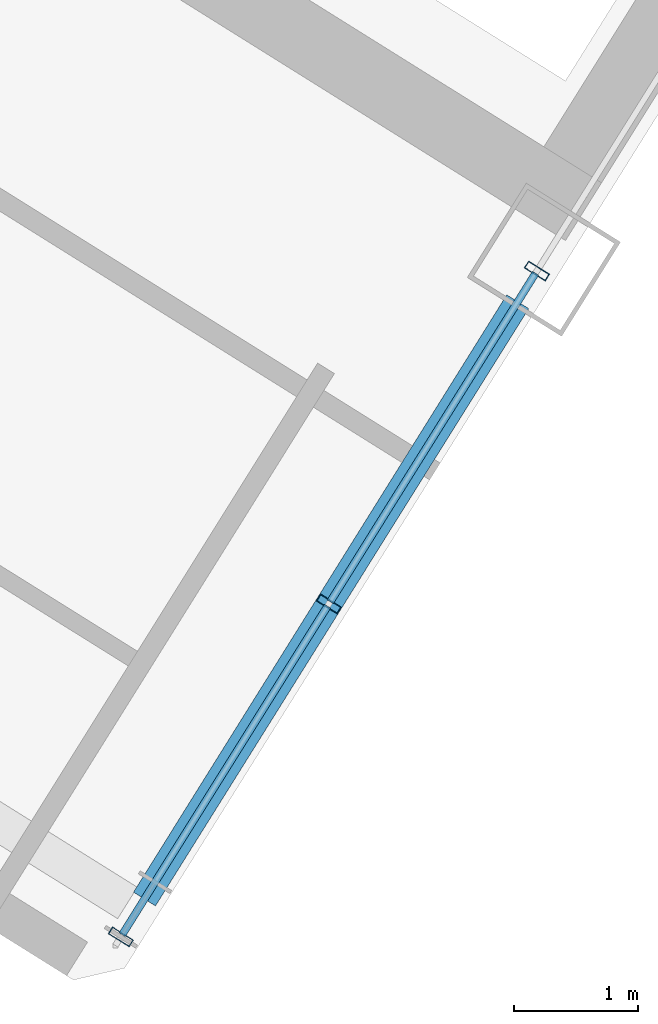
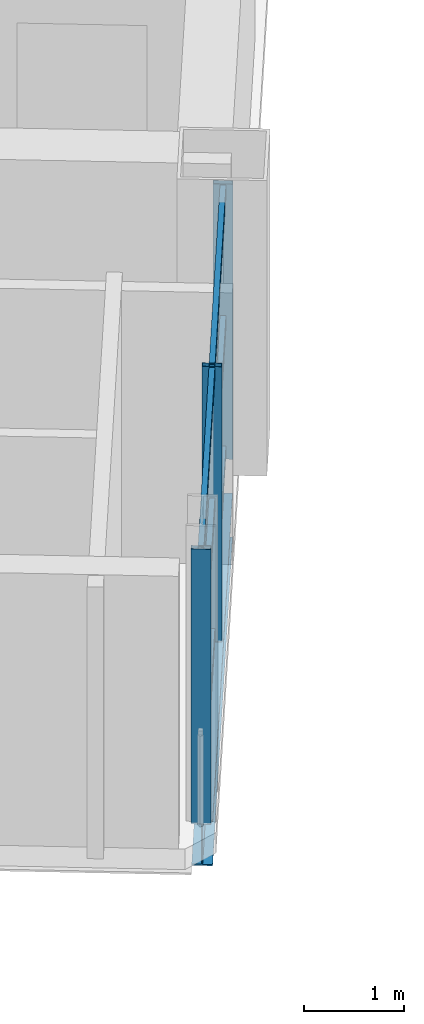
# One storey, part 6 of 18: 9 members, 1 beam, 1 element without a shape of its own.
"""IFC4 building model written with IfcOpenShell, lengths in metres."""

from ifc_helpers import new_model, si_unit, direction, frame, origin, origin_2d, place, context, subcontext, project, spatial, hollow_rectangle, i_section, extrude, source, transform, mapped, material, material_profile, profile_set, type_object, element, aggregate, save


model = new_model("IFC4")

# Units and contexts
model_context = context("Model", 3, precision=1e-05, world=origin(), true_north=direction((0.0, 1.0)))
body_context = subcontext(model_context, "Body", "Model", "MODEL_VIEW")
ifc_project = project(units=[si_unit("LENGTHUNIT", "METRE"), si_unit("AREAUNIT", "SQUARE_METRE"), si_unit("VOLUMEUNIT", "CUBIC_METRE"), si_unit("PLANEANGLEUNIT", "RADIAN"), si_unit("MASSUNIT", "GRAM", prefix="KILO")], contexts=[model_context])

# Site, building, storey
site_placement = place(None, origin())
site = spatial("IfcSite", under=ifc_project, at=site_placement, CompositionType="ELEMENT")
building_placement = place(site_placement, origin())
building = spatial("IfcBuilding", under=site, at=building_placement, Name="Tlacorven Tower", CompositionType="ELEMENT")
storey_placement = place(building_placement, frame((0.0, 0.0, 132.60009765625)))
storey = spatial("IfcBuildingStorey", under=building, at=storey_placement, Name="L33", CompositionType="ELEMENT", Elevation=132.60009765625)

# Beam
ifc_material_1 = material(Name="Steel S355J2", Category="steel")
ifc_material_profile_1 = material_profile(ifc_material_1, i_section(OverallWidth=0.2099609375, OverallDepth=0.550048828125, WebThickness=0.010986328125, FlangeThickness=0.01708984375, at=origin_2d()), Name="IPE 550")
ifc_profile_set_1 = profile_set([ifc_material_profile_1], Name="Steel S355J2")
beam_type = type_object("IfcBeamType", Name="BM-TWR-550", PredefinedType="BEAM", material=ifc_profile_set_1)
shared_shape_1 = source(origin(), body_context, "Body", "SweptSolid", [
    extrude(i_section(OverallWidth=0.2099609375, OverallDepth=0.550048828125, WebThickness=0.010986328125, FlangeThickness=0.01708984375, at=origin_2d()), origin(), (0.0, 0.0, 1.0), 5.699951171875),
])
beam_placement = place(storey_placement, frame((32.834228515625, 11.74755859375, -0.525146484375), z_axis=(-0.529925785607, -0.848044021115, 0.0), x_axis=(0.848044021115, -0.529925785607, 0.0)))
element("IfcBeam", 1, at=beam_placement, inside=storey, type_object=beam_type, Name="L33 beam BM-L33-WT1-2", PredefinedType="BEAM", context=body_context, shape_type="MappedRepresentation", body=[
    mapped(shared_shape_1, transform((0.0, 0.0, 0.0), scale=1.0)),
])

# Curtain wall, members
ifc_material_2 = material(Name="Dark solar low-E double glazing in aluminium frame", Category="aluminium")
curtain_wall_type = type_object("IfcCurtainWallType", Name="CW-TWR-MID", PredefinedType="USERDEFINED", material=ifc_material_2)
curtain_wall_placement = place(storey_placement, origin())
curtain_wall = element("IfcCurtainWall", 2, at=curtain_wall_placement, inside=storey, type_object=curtain_wall_type, Name="L33 CW-TWR-MID Curtain Wall 157", ObjectType="UNITISED CURTAIN WALL", PredefinedType="USERDEFINED")
ifc_material_3 = material(Name="Aluminium 6063-T6 anodised", Category="aluminium")
ifc_material_profile_2 = material_profile(ifc_material_3, hollow_rectangle(XDim=0.06005859375, YDim=0.139892578125, WallThickness=0.00390625, at=origin_2d()), Name="ALU TRANSOM 60X140")
ifc_profile_set_2 = profile_set([ifc_material_profile_2], Name="Aluminium 6063-T6 anodised")
member_type_1 = type_object("IfcMemberType", Name="CWT-02", PredefinedType="USERDEFINED", material=ifc_profile_set_2)
shared_shape_2 = source(origin(), body_context, "Body", "SweptSolid", [
    extrude(hollow_rectangle(XDim=0.06005859375, YDim=0.139892578125, WallThickness=0.00390625, at=origin_2d()), origin(), (0.0, 0.0, 1.0), 3.1357421875),
])
member_1_placement = place(storey_placement, frame((32.978271484375, 11.978271484375, 0.06982421875), z_axis=(-0.529914953616, -0.848050789714, 0.0), x_axis=(0.848050789714, -0.529914953616, 0.0)))
member_1 = element("IfcMember", 3, at=member_1_placement, type_object=member_type_1, Name="CW-L33-157 Transom 1", ObjectType="TRANSOM", PredefinedType="USERDEFINED", context=body_context, shape_type="MappedRepresentation", body=[
    mapped(shared_shape_2, transform((0.0, 0.0, 0.0), scale=1.0)),
])
member_2_placement = place(storey_placement, frame((32.978271484375, 11.978271484375, 1.659912109375), z_axis=(-0.529914953616, -0.848050789714, 0.0), x_axis=(0.848050789714, -0.529914953616, 0.0)))
member_2 = element("IfcMember", 4, at=member_2_placement, type_object=member_type_1, Name="CW-L33-157 Transom 2", ObjectType="TRANSOM", PredefinedType="USERDEFINED", context=body_context, shape_type="MappedRepresentation", body=[
    mapped(shared_shape_2, transform((0.0, 0.0, 0.0), scale=1.0)),
])
member_3_placement = place(storey_placement, frame((32.978271484375, 11.978271484375, 3.25), z_axis=(-0.529914953616, -0.848050789714, 0.0), x_axis=(0.848050789714, -0.529914953616, 0.0)))
member_3 = element("IfcMember", 5, at=member_3_placement, type_object=member_type_1, Name="CW-L33-157 Transom 3", ObjectType="TRANSOM", PredefinedType="USERDEFINED", context=body_context, shape_type="MappedRepresentation", body=[
    mapped(shared_shape_2, transform((0.0, 0.0, 0.0), scale=1.0)),
])
shared_shape_3 = source(origin(), body_context, "Body", "SweptSolid", [
    extrude(hollow_rectangle(XDim=0.06005859375, YDim=0.139892578125, WallThickness=0.00390625, at=origin_2d()), origin(), (0.0, 0.0, 1.0), 3.135986328125),
])
member_4_placement = place(storey_placement, frame((31.294921875, 9.2841796875, 0.06982421875), z_axis=(-0.529935957458, -0.848037664843, 0.0), x_axis=(0.848037664843, -0.529935957458, 0.0)))
member_4 = element("IfcMember", 6, at=member_4_placement, type_object=member_type_1, Name="CW-L33-157 Transom 4", ObjectType="TRANSOM", PredefinedType="USERDEFINED", context=body_context, shape_type="MappedRepresentation", body=[
    mapped(shared_shape_3, transform((0.0, 0.0, 0.0), scale=1.0)),
])
member_5_placement = place(storey_placement, frame((31.294921875, 9.2841796875, 1.659912109375), z_axis=(-0.529935957458, -0.848037664843, 0.0), x_axis=(0.848037664843, -0.529935957458, 0.0)))
member_5 = element("IfcMember", 7, at=member_5_placement, type_object=member_type_1, Name="CW-L33-157 Transom 5", ObjectType="TRANSOM", PredefinedType="USERDEFINED", context=body_context, shape_type="MappedRepresentation", body=[
    mapped(shared_shape_3, transform((0.0, 0.0, 0.0), scale=1.0)),
])
member_6_placement = place(storey_placement, frame((31.294921875, 9.2841796875, 3.25), z_axis=(-0.529935957458, -0.848037664843, 0.0), x_axis=(0.848037664843, -0.529935957458, 0.0)))
member_6 = element("IfcMember", 8, at=member_6_placement, type_object=member_type_1, Name="CW-L33-157 Transom 6", ObjectType="TRANSOM", PredefinedType="USERDEFINED", context=body_context, shape_type="MappedRepresentation", body=[
    mapped(shared_shape_3, transform((0.0, 0.0, 0.0), scale=1.0)),
])
ifc_material_profile_3 = material_profile(ifc_material_3, hollow_rectangle(XDim=0.06494140625, YDim=0.199951171875, WallThickness=0.00439453125, at=origin_2d()), Name="ALU MULLION 65X200")
ifc_profile_set_3 = profile_set([ifc_material_profile_3], Name="Aluminium 6063-T6 anodised")
member_type_2 = type_object("IfcMemberType", Name="CWM-02", PredefinedType="MULLION", material=ifc_profile_set_3)
shared_shape_4 = source(origin(), body_context, "Body", "SweptSolid", [
    extrude(hollow_rectangle(XDim=0.06494140625, YDim=0.199951171875, WallThickness=0.00439453125, at=origin_2d()), origin(), (0.0, 0.0, 1.0), 3.349853515625),
])
member_7_placement = place(storey_placement, frame((32.9892578125, 11.99560546875, -0.02001953125), z_axis=(0.0, 0.0, 1.0), x_axis=(-0.529919272078, -0.848048091255, 0.0)))
member_7 = element("IfcMember", 9, at=member_7_placement, type_object=member_type_2, Name="CW-L33-157 Mullion 1", PredefinedType="MULLION", context=body_context, shape_type="MappedRepresentation", body=[
    mapped(shared_shape_4, transform((0.0, 0.0, 0.0), scale=1.0)),
])
member_8_placement = place(storey_placement, frame((31.3056640625, 9.301513671875, -0.02001953125), z_axis=(0.0, 0.0, 1.0), x_axis=(-0.529919272078, -0.848048091255, 0.0)))
member_8 = element("IfcMember", 10, at=member_8_placement, type_object=member_type_2, Name="CW-L33-157 Mullion 2", PredefinedType="MULLION", context=body_context, shape_type="MappedRepresentation", body=[
    mapped(shared_shape_4, transform((0.0, 0.0, 0.0), scale=1.0)),
])
member_9_placement = place(storey_placement, frame((29.622314453125, 6.607421875, -0.02001953125), z_axis=(0.0, 0.0, 1.0), x_axis=(-0.529919272078, -0.848048091255, 0.0)))
member_9 = element("IfcMember", 11, at=member_9_placement, type_object=member_type_2, Name="CW-L33-157 Mullion 3", PredefinedType="MULLION", context=body_context, shape_type="MappedRepresentation", body=[
    mapped(shared_shape_4, transform((0.0, 0.0, 0.0), scale=1.0)),
])
aggregate(curtain_wall, [member_7, member_8, member_9, member_1, member_2, member_3, member_4, member_5, member_6])

save(model, "model.ifc")
